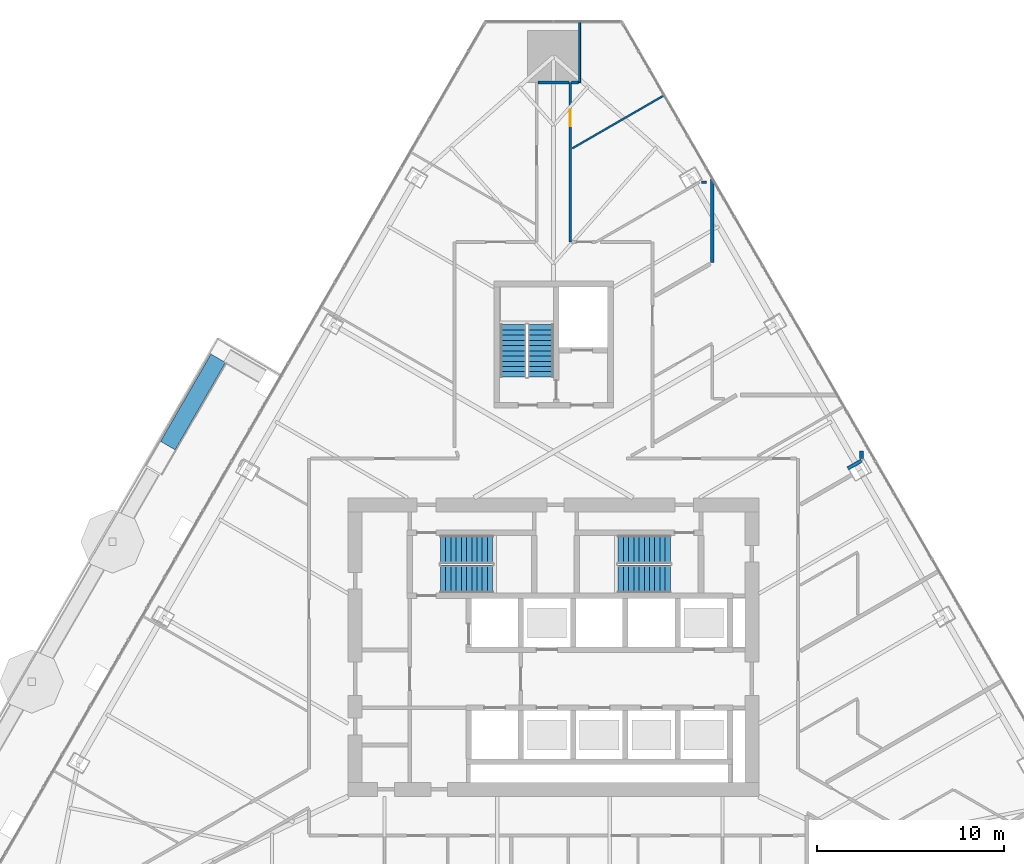
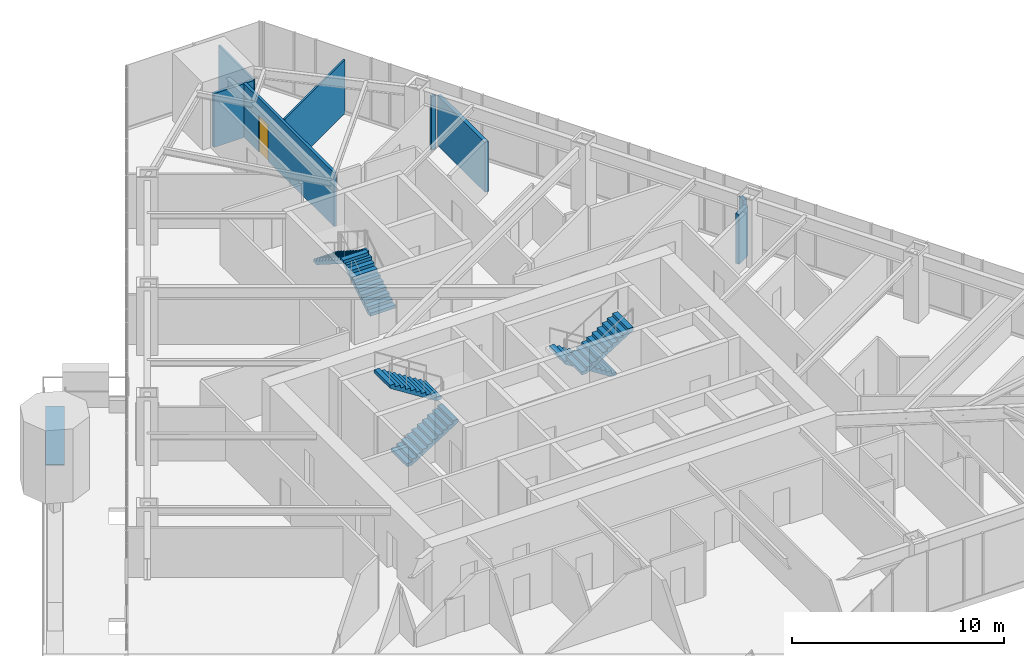
# One storey, part 29 of 32: 9 walls, 6 stair flights, 1 door, 1 ramp flight, 1 opening, 4 elements without a shape of their own.
"""IFC4 building model written with IfcOpenShell, lengths in metres."""

from ifc_helpers import new_model, si_unit, direction, frame, frame_2d, origin, place, context, subcontext, project, spatial, polyline, rectangle, outline, extrude, material, layer, layer_set, type_object, element, fill, aggregate, save


model = new_model("IFC4")

# Units and contexts
model_context = context("Model", 3, precision=1e-05, world=origin(), true_north=direction((0.0, 1.0)))
body_context = subcontext(model_context, "Body", "Model", "MODEL_VIEW")
ifc_project = project(units=[si_unit("LENGTHUNIT", "METRE"), si_unit("AREAUNIT", "SQUARE_METRE"), si_unit("VOLUMEUNIT", "CUBIC_METRE"), si_unit("PLANEANGLEUNIT", "RADIAN"), si_unit("MASSUNIT", "GRAM", prefix="KILO")], contexts=[model_context])

# Site, building, storey
site_placement = place(None, origin())
site = spatial("IfcSite", under=ifc_project, at=site_placement, CompositionType="ELEMENT")
building_placement = place(site_placement, origin())
building = spatial("IfcBuilding", under=site, at=building_placement, Name="Firuza Gate Tower and Library", CompositionType="ELEMENT")
storey_placement = place(building_placement, frame((0.0, 0.0, 163.60009765625)))
storey = spatial("IfcBuildingStorey", under=building, at=storey_placement, Name="L37", CompositionType="ELEMENT", Elevation=163.60009765625)

# Wall
ifc_material_1 = material(Name="Gypsum board partition")
ifc_layer_1 = layer(ifc_material_1, 0.14990234375)
ifc_layer_set_1 = layer_set([ifc_layer_1], Name="Corridor wall 150 double board on steel studs")
wall_type_1 = type_object("IfcWallType", Name="Corridor wall 150 double board on steel studs", PredefinedType="PARTITIONING", material=ifc_layer_set_1)
wall_1_placement = place(storey_placement, frame((74.175537109375, 105.241943359375, 0.0), z_axis=(0.0, 0.0, 1.0), x_axis=(1.0, 0.0, 0.0)))
element("IfcWall", 1, at=wall_1_placement, inside=storey, type_object=wall_type_1, Name="f:L37:w016", PredefinedType="PARTITIONING", context=body_context, shape_type="SweptSolid", body=[
    extrude(rectangle(XDim=1.6494140625, YDim=0.14990234375, at=frame_2d((0.82470703125, 0.0))), origin(), (0.0, 0.0, 1.0), 3.096923828125),
])

# Wall, opening, door
wall_2_placement = place(storey_placement, frame((75.89990234375, 105.242431640625, 0.0), z_axis=(0.0, 0.0, 1.0), x_axis=(0.0, -1.0, 0.0)))
wall_2 = element("IfcWall", 2, at=wall_2_placement, inside=storey, type_object=wall_type_1, Name="f:L37:w056", PredefinedType="PARTITIONING", context=body_context, shape_type="SweptSolid", body=[
    extrude(rectangle(XDim=8.54248046875, YDim=0.14990234375, at=frame_2d((4.271240234375, 0.0))), origin(), (0.0, 0.0, 1.0), 3.099853515625),
])
opening_placement = place(wall_2_placement, frame((1.444580078125, 0.0, 0.0)))
opening = element("IfcOpeningElement", 3, at=opening_placement, cuts=wall_2, Name="Opening L37-28", PredefinedType="OPENING", context=body_context, shape_type="SweptSolid", body=[
    extrude(rectangle(XDim=0.89990234375, YDim=2.10009765625, at=frame_2d((0.449951171875, 1.050048828125))), frame((0.0, 0.0849609375, 0.0), z_axis=(0.0, -1.0, 0.0), x_axis=(1.0, 0.0, 0.0)), (0.0, 0.0, 1.0), 0.169921875),
])
ifc_material_2 = material(Name="Steel door and timber leaf", Category="steel")
door_type = type_object("IfcDoorType", Name="Fire door 900 x 2100 steel frame, timber leaf", OperationType="NOTDEFINED", PredefinedType="DOOR", material=ifc_material_2)
door_placement = place(opening_placement, origin())
door = element("IfcDoor", 4, at=door_placement, inside=storey, type_object=door_type, Name="f:L37:d028", OperationType="SINGLE_SWING_LEFT", OverallHeight=2.10009765625, OverallWidth=0.89990234375, PredefinedType="DOOR", context=body_context, shape_type="SweptSolid", body=[
    extrude(rectangle(XDim=0.89990234375, YDim=2.10009765625, at=frame_2d((0.449951171875, 1.050048828125))), frame((0.0, 0.02490234375, 0.0), z_axis=(0.0, -1.0, 0.0), x_axis=(1.0, 0.0, 0.0)), (0.0, 0.0, 1.0), 0.050048828125),
])
fill(opening, door)

# Walls
wall_3_placement = place(storey_placement, frame((75.97509765625, 105.241943359375, 0.0), z_axis=(0.0, 0.0, 1.0), x_axis=(1.0, 0.0, 0.0)))
element("IfcWall", 5, at=wall_3_placement, inside=storey, type_object=wall_type_1, Name="f:L37:w083", PredefinedType="PARTITIONING", context=body_context, shape_type="SweptSolid", body=[
    extrude(rectangle(XDim=0.37451171875, YDim=0.14990234375, at=frame_2d((0.187255859375, 0.0))), origin(), (0.0, 0.0, 1.0), 3.099853515625),
])
ifc_material_3 = material(Name="Gypsum board partition")
ifc_layer_2 = layer(ifc_material_3, 0.199951171875)
ifc_layer_set_2 = layer_set([ifc_layer_2], Name="Demising wall 200 acoustic double stud")
wall_type_2 = type_object("IfcWallType", Name="Demising wall 200 acoustic double stud", PredefinedType="PARTITIONING", material=ifc_layer_set_2)
wall_4_placement = place(storey_placement, frame((90.7685546875, 84.56591796875, 0.0), z_axis=(0.0, 0.0, 1.0), x_axis=(0.865993035835, 0.500056058743, 0.0)))
element("IfcWall", 6, at=wall_4_placement, inside=storey, type_object=wall_type_2, Name="f:L37:w026", PredefinedType="PARTITIONING", context=body_context, shape_type="SweptSolid", body=[
    extrude(rectangle(XDim=0.8447265625, YDim=0.199951171875, at=frame_2d((0.42236328125, 0.0))), origin(), (0.0, 0.0, 1.0), 2.864990234375),
])
wall_5_placement = place(storey_placement, frame((91.5, 85.103515625, 0.0), z_axis=(0.0, 0.0, 1.0), x_axis=(0.0, 1.0, 0.0)))
element("IfcWall", 7, at=wall_5_placement, inside=storey, type_object=wall_type_2, Name="f:L37:w042", PredefinedType="PARTITIONING", context=body_context, shape_type="SweptSolid", body=[
    extrude(rectangle(XDim=0.395263671875, YDim=0.199951171875, at=frame_2d((0.19775390625, 0.0))), origin(), (0.0, 0.0, 1.0), 3.099853515625),
])
wall_6_placement = place(storey_placement, frame((83.5, 95.58935546875, 0.0), z_axis=(0.0, 0.0, 1.0), x_axis=(0.0, 1.0, 0.0)))
element("IfcWall", 8, at=wall_6_placement, inside=storey, type_object=wall_type_2, Name="f:L37:w052", PredefinedType="PARTITIONING", context=body_context, shape_type="SweptSolid", body=[
    extrude(rectangle(XDim=4.48583984375, YDim=0.199951171875, at=frame_2d((2.242919921875, 0.0))), origin(), (0.0, 0.0, 1.0), 2.864990234375),
])
ifc_material_4 = material(Name="Gypsum board partition")
ifc_layer_3 = layer(ifc_material_4, 0.10009765625)
ifc_layer_set_3 = layer_set([ifc_layer_3], Name="Partition 100 gypsum board on steel studs")
wall_type_3 = type_object("IfcWallType", Name="Partition 100 gypsum board on steel studs", PredefinedType="PARTITIONING", material=ifc_layer_set_3)
wall_7_placement = place(storey_placement, frame((76.0009765625, 101.714599609375, 0.0), z_axis=(0.0, 0.0, 1.0), x_axis=(0.866015782696, 0.500016663843, 0.0)))
element("IfcWall", 9, at=wall_7_placement, inside=storey, type_object=wall_type_3, Name="f:L37:w035", PredefinedType="PARTITIONING", context=body_context, shape_type="SweptSolid", body=[
    extrude(rectangle(XDim=5.674560546875, YDim=0.10009765625, at=frame_2d((2.83740234375, 0.0))), origin(), (0.0, 0.0, 1.0), 3.099853515625),
])
wall_8_placement = place(storey_placement, frame((76.39990234375, 105.242919921875, 0.0), z_axis=(0.0, 0.0, 1.0), x_axis=(0.0, 1.0, 0.0)))
element("IfcWall", 10, at=wall_8_placement, inside=storey, type_object=wall_type_3, Name="f:L37:w055", PredefinedType="PARTITIONING", context=body_context, shape_type="SweptSolid", body=[
    extrude(rectangle(XDim=3.259521484375, YDim=0.10009765625, at=frame_2d((1.6298828125, 0.0))), origin(), (0.0, 0.0, 1.0), 3.099853515625),
])
ifc_material_5 = material(Name="Gypsum board partition")
ifc_layer_4 = layer(ifc_material_5, 0.1201171875)
ifc_layer_set_4 = layer_set([ifc_layer_4], Name="Wet-area partition 120 moisture-resistant board")
wall_type_4 = type_object("IfcWallType", Name="Wet-area partition 120 moisture-resistant board", PredefinedType="PARTITIONING", material=ifc_layer_set_4)
wall_9_placement = place(storey_placement, frame((82.9375, 99.89990234375, 0.0), z_axis=(0.0, 0.0, 1.0), x_axis=(1.0, 0.0, 0.0)))
element("IfcWall", 11, at=wall_9_placement, inside=storey, type_object=wall_type_4, Name="f:L37:w015", PredefinedType="PARTITIONING", context=body_context, shape_type="SweptSolid", body=[
    extrude(rectangle(XDim=0.248046875, YDim=0.1201171875, at=frame_2d((0.1240234375, 0.0))), origin(), (0.0, 0.0, 1.0), 3.099853515625),
])

# Stair, stair flights
ifc_material_6 = material(Name="Concrete C35/45", Category="concrete")
stair_type_1 = type_object("IfcStairType", Name="Exit stair ST16", PredefinedType="HALF_TURN_STAIR", material=ifc_material_6)
placement = place(storey_placement, origin())
stair_1 = element("IfcStair", 12, at=placement, inside=storey, type_object=stair_type_1, Name="L37 Stair ST3", PredefinedType="HALF_TURN_STAIR")
ifc_material_7 = material(Name="Concrete C35/45", Category="concrete")
stair_flight_type_1 = type_object("IfcStairFlightType", Name="Stair flight 11 risers 177.3 width 1370", PredefinedType="STRAIGHT", material=ifc_material_7)
stair_flight_1_placement = place(storey_placement, frame((74.31494140625, 89.469970703125, 0.0), z_axis=(0.0, 0.0, 1.0), x_axis=(0.0, 1.0, 0.0)))
stair_flight_1 = element("IfcStairFlight", 13, at=stair_flight_1_placement, type_object=stair_flight_type_1, Name="ST3 flight 1", NumberOfRisers=11, NumberOfTreads=10, PredefinedType="STRAIGHT", RiserHeight=0.177272727, TreadLength=0.28, context=body_context, shape_type="SweptSolid", body=[
    extrude(outline(polyline([(0.0, 0.0), (0.0, 0.17724609375), (0.280029296875, 0.17724609375), (0.280029296875, 0.3544921875), (0.56005859375, 0.3544921875), (0.56005859375, 0.53173828125), (0.840087890625, 0.53173828125), (0.840087890625, 0.708984375), (1.1201171875, 0.708984375), (1.1201171875, 0.886474609375), (1.39990234375, 0.886474609375), (1.39990234375, 1.063720703125), (1.679931640625, 1.063720703125), (1.679931640625, 1.240966796875), (1.9599609375, 1.240966796875), (1.9599609375, 1.418212890625), (2.239990234375, 1.418212890625), (2.239990234375, 1.595458984375), (2.52001953125, 1.595458984375), (2.52001953125, 1.772705078125), (2.800048828125, 1.772705078125), (2.800048828125, 1.949951171875), (2.800048828125, 1.59521484375), (0.2802734375, 0.0), (0.0, 0.0)])), frame((0.0, 0.68505859375, 0.0), z_axis=(0.0, -1.0, 0.0), x_axis=(1.0, 0.0, 0.0)), (0.0, 0.0, 1.0), 1.3701171875),
])
stair_flight_2_placement = place(storey_placement, frame((72.844970703125, 92.27001953125, 1.949951171875), z_axis=(0.0, 0.0, 1.0), x_axis=(0.0, -1.0, 0.0)))
stair_flight_2 = element("IfcStairFlight", 14, at=stair_flight_2_placement, type_object=stair_flight_type_1, Name="ST3 flight 2", NumberOfRisers=11, NumberOfTreads=10, PredefinedType="STRAIGHT", RiserHeight=0.177272727, TreadLength=0.28, context=body_context, shape_type="SweptSolid", body=[
    extrude(outline(polyline([(0.0, 0.0), (0.0, 0.17724609375), (0.280029296875, 0.17724609375), (0.280029296875, 0.3544921875), (0.56005859375, 0.3544921875), (0.56005859375, 0.53173828125), (0.840087890625, 0.53173828125), (0.840087890625, 0.708984375), (1.1201171875, 0.708984375), (1.1201171875, 0.886474609375), (1.39990234375, 0.886474609375), (1.39990234375, 1.063720703125), (1.679931640625, 1.063720703125), (1.679931640625, 1.240966796875), (1.9599609375, 1.240966796875), (1.9599609375, 1.418212890625), (2.239990234375, 1.418212890625), (2.239990234375, 1.595458984375), (2.52001953125, 1.595458984375), (2.52001953125, 1.772705078125), (2.800048828125, 1.772705078125), (2.800048828125, 1.949951171875), (2.800048828125, 1.59521484375), (0.2802734375, 0.0), (0.0, 0.0)])), frame((0.0, 0.68505859375, 0.0), z_axis=(0.0, -1.0, 0.0), x_axis=(1.0, 0.0, 0.0)), (0.0, 0.0, 1.0), 1.3701171875),
])
aggregate(stair_1, [stair_flight_1, stair_flight_2])

ifc_material_8 = material(Name="Concrete C35/45", Category="concrete")
stair_type_2 = type_object("IfcStairType", Name="Exit stair ST7", PredefinedType="HALF_TURN_STAIR", material=ifc_material_8)
stair_2 = element("IfcStair", 15, at=placement, inside=storey, type_object=stair_type_2, Name="L37 Stair ST1", PredefinedType="HALF_TURN_STAIR")
ifc_material_9 = material(Name="Concrete C35/45", Category="concrete")
stair_flight_type_2 = type_object("IfcStairFlightType", Name="Stair flight 11 risers 177.3 width 1490", PredefinedType="STRAIGHT", material=ifc_material_9)
stair_flight_3_placement = place(storey_placement, frame((68.93994140625, 78.64501953125, 0.0), z_axis=(0.0, 0.0, 1.0), x_axis=(1.0, 0.0, 0.0)))
stair_flight_3 = element("IfcStairFlight", 16, at=stair_flight_3_placement, type_object=stair_flight_type_2, Name="ST1 flight 1", NumberOfRisers=11, NumberOfTreads=10, PredefinedType="STRAIGHT", RiserHeight=0.177272727, TreadLength=0.28, context=body_context, shape_type="SweptSolid", body=[
    extrude(outline(polyline([(0.0, 0.0), (0.0, 0.17724609375), (0.280029296875, 0.17724609375), (0.280029296875, 0.3544921875), (0.56005859375, 0.3544921875), (0.56005859375, 0.53173828125), (0.840087890625, 0.53173828125), (0.840087890625, 0.708984375), (1.1201171875, 0.708984375), (1.1201171875, 0.886474609375), (1.39990234375, 0.886474609375), (1.39990234375, 1.063720703125), (1.679931640625, 1.063720703125), (1.679931640625, 1.240966796875), (1.9599609375, 1.240966796875), (1.9599609375, 1.418212890625), (2.239990234375, 1.418212890625), (2.239990234375, 1.595458984375), (2.52001953125, 1.595458984375), (2.52001953125, 1.772705078125), (2.800048828125, 1.772705078125), (2.800048828125, 1.949951171875), (2.800048828125, 1.59521484375), (0.2802734375, 0.0), (0.0, 0.0)])), frame((0.0, 0.7451171875, 0.0), z_axis=(0.0, -1.0, 0.0), x_axis=(1.0, 0.0, 0.0)), (0.0, 0.0, 1.0), 1.489990234375),
])
stair_flight_4_placement = place(storey_placement, frame((71.739990234375, 80.235107421875, 1.949951171875), z_axis=(0.0, 0.0, 1.0), x_axis=(-1.0, 0.0, 0.0)))
stair_flight_4 = element("IfcStairFlight", 17, at=stair_flight_4_placement, type_object=stair_flight_type_2, Name="ST1 flight 2", NumberOfRisers=11, NumberOfTreads=10, PredefinedType="STRAIGHT", RiserHeight=0.177272727, TreadLength=0.28, context=body_context, shape_type="SweptSolid", body=[
    extrude(outline(polyline([(0.0, 0.0), (0.0, 0.17724609375), (0.280029296875, 0.17724609375), (0.280029296875, 0.3544921875), (0.56005859375, 0.3544921875), (0.56005859375, 0.53173828125), (0.840087890625, 0.53173828125), (0.840087890625, 0.708984375), (1.1201171875, 0.708984375), (1.1201171875, 0.886474609375), (1.39990234375, 0.886474609375), (1.39990234375, 1.063720703125), (1.679931640625, 1.063720703125), (1.679931640625, 1.240966796875), (1.9599609375, 1.240966796875), (1.9599609375, 1.418212890625), (2.239990234375, 1.418212890625), (2.239990234375, 1.595458984375), (2.52001953125, 1.595458984375), (2.52001953125, 1.772705078125), (2.800048828125, 1.772705078125), (2.800048828125, 1.949951171875), (2.800048828125, 1.59521484375), (0.2802734375, 0.0), (0.0, 0.0)])), frame((0.0, 0.7451171875, 0.0), z_axis=(0.0, -1.0, 0.0), x_axis=(1.0, 0.0, 0.0)), (0.0, 0.0, 1.0), 1.489990234375),
])
aggregate(stair_2, [stair_flight_3, stair_flight_4])

stair_3 = element("IfcStair", 18, at=placement, inside=storey, type_object=stair_type_2, Name="L37 Stair ST2", PredefinedType="HALF_TURN_STAIR")
stair_flight_5_placement = place(storey_placement, frame((81.260009765625, 80.235107421875, 0.0), z_axis=(0.0, 0.0, 1.0), x_axis=(-1.0, 0.0, 0.0)))
stair_flight_5 = element("IfcStairFlight", 19, at=stair_flight_5_placement, type_object=stair_flight_type_2, Name="ST2 flight 1", NumberOfRisers=11, NumberOfTreads=10, PredefinedType="STRAIGHT", RiserHeight=0.177272727, TreadLength=0.28, context=body_context, shape_type="SweptSolid", body=[
    extrude(outline(polyline([(0.0, 0.0), (0.0, 0.17724609375), (0.280029296875, 0.17724609375), (0.280029296875, 0.3544921875), (0.56005859375, 0.3544921875), (0.56005859375, 0.53173828125), (0.840087890625, 0.53173828125), (0.840087890625, 0.708984375), (1.1201171875, 0.708984375), (1.1201171875, 0.886474609375), (1.39990234375, 0.886474609375), (1.39990234375, 1.063720703125), (1.679931640625, 1.063720703125), (1.679931640625, 1.240966796875), (1.9599609375, 1.240966796875), (1.9599609375, 1.418212890625), (2.239990234375, 1.418212890625), (2.239990234375, 1.595458984375), (2.52001953125, 1.595458984375), (2.52001953125, 1.772705078125), (2.800048828125, 1.772705078125), (2.800048828125, 1.949951171875), (2.800048828125, 1.59521484375), (0.2802734375, 0.0), (0.0, 0.0)])), frame((0.0, 0.7451171875, 0.0), z_axis=(0.0, -1.0, 0.0), x_axis=(1.0, 0.0, 0.0)), (0.0, 0.0, 1.0), 1.489990234375),
])
stair_flight_6_placement = place(storey_placement, frame((78.4599609375, 78.64501953125, 1.949951171875), z_axis=(0.0, 0.0, 1.0), x_axis=(1.0, 0.0, 0.0)))
stair_flight_6 = element("IfcStairFlight", 20, at=stair_flight_6_placement, type_object=stair_flight_type_2, Name="ST2 flight 2", NumberOfRisers=11, NumberOfTreads=10, PredefinedType="STRAIGHT", RiserHeight=0.177272727, TreadLength=0.28, context=body_context, shape_type="SweptSolid", body=[
    extrude(outline(polyline([(0.0, 0.0), (0.0, 0.17724609375), (0.280029296875, 0.17724609375), (0.280029296875, 0.3544921875), (0.56005859375, 0.3544921875), (0.56005859375, 0.53173828125), (0.840087890625, 0.53173828125), (0.840087890625, 0.708984375), (1.1201171875, 0.708984375), (1.1201171875, 0.886474609375), (1.39990234375, 0.886474609375), (1.39990234375, 1.063720703125), (1.679931640625, 1.063720703125), (1.679931640625, 1.240966796875), (1.9599609375, 1.240966796875), (1.9599609375, 1.418212890625), (2.239990234375, 1.418212890625), (2.239990234375, 1.595458984375), (2.52001953125, 1.595458984375), (2.52001953125, 1.772705078125), (2.800048828125, 1.772705078125), (2.800048828125, 1.949951171875), (2.800048828125, 1.59521484375), (0.2802734375, 0.0), (0.0, 0.0)])), frame((0.0, 0.7451171875, 0.0), z_axis=(0.0, -1.0, 0.0), x_axis=(1.0, 0.0, 0.0)), (0.0, 0.0, 1.0), 1.489990234375),
])
aggregate(stair_3, [stair_flight_5, stair_flight_6])

# Ramp, ramp flight
ifc_material_10 = material(Name="Concrete C40/50", Category="concrete")
ifc_layer_5 = layer(ifc_material_10, 0.050048828125)
ifc_layer_set_5 = layer_set([ifc_layer_5], Name="Garden ramp")
ramp_type = type_object("IfcRampType", Name="Garden ramp", PredefinedType="STRAIGHT_RUN_RAMP", material=ifc_layer_set_5)
ramp = element("IfcRamp", 21, at=placement, inside=storey, type_object=ramp_type, Name="Garden ramp 4", PredefinedType="STRAIGHT_RUN_RAMP")
ifc_material_11 = material(Name="Concrete C40/50", Category="concrete")
ifc_layer_6 = layer(ifc_material_11, 0.050048828125)
ifc_layer_set_6 = layer_set([ifc_layer_6], Name="Garden ramp flight")
ramp_flight_type = type_object("IfcRampFlightType", Name="Garden ramp flight", PredefinedType="STRAIGHT", material=ifc_layer_set_6)
ramp_flight_placement = place(storey_placement, frame((57.0390625, 90.46875, -0.000244140625), z_axis=(0.0, 0.0, 1.0), x_axis=(-0.499995103361, -0.866028230842, 0.0)))
ramp_flight = element("IfcRampFlight", 22, at=ramp_flight_placement, type_object=ramp_flight_type, Name="Garden ramp 4 flight", PredefinedType="STRAIGHT", context=body_context, shape_type="SweptSolid", body=[
    extrude(outline(polyline([(0.0, 0.050048828125), (5.39990234375, 0.4501953125), (5.39990234375, 0.400146484375), (0.0, 0.0), (0.0, 0.050048828125)])), frame((0.0, 0.449951171875, 0.0), z_axis=(0.0, -1.0, 0.0), x_axis=(1.0, 0.0, 0.0)), (0.0, 0.0, 1.0), 0.900146484375),
])
aggregate(ramp, [ramp_flight])

save(model, "model.ifc")
